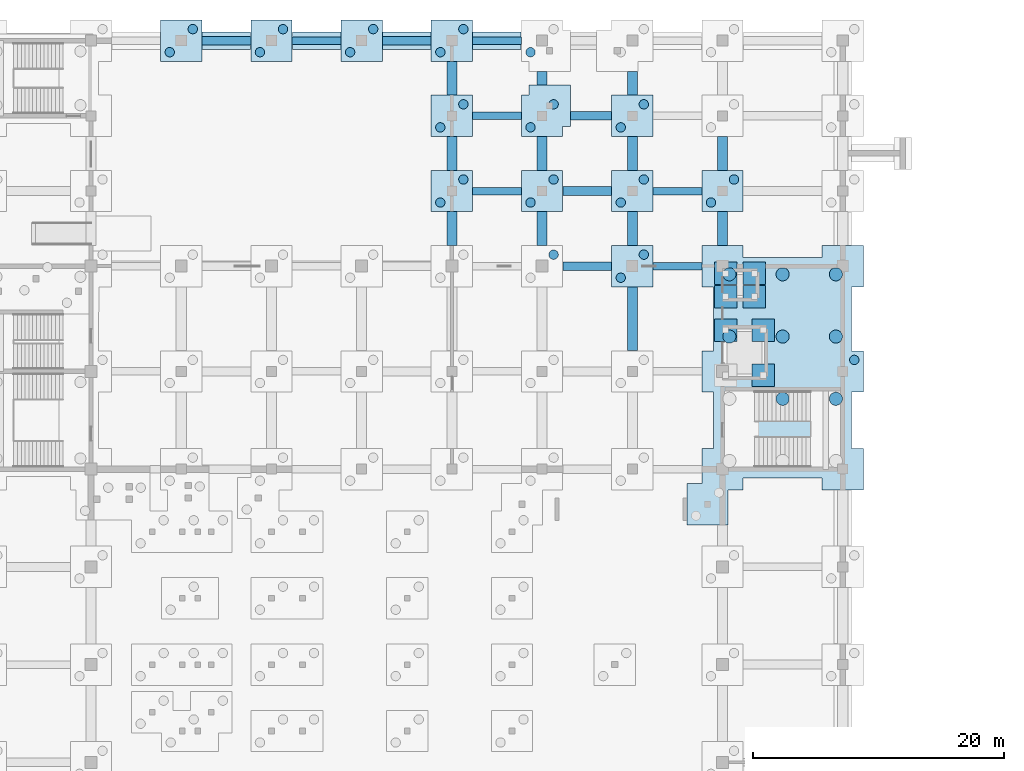
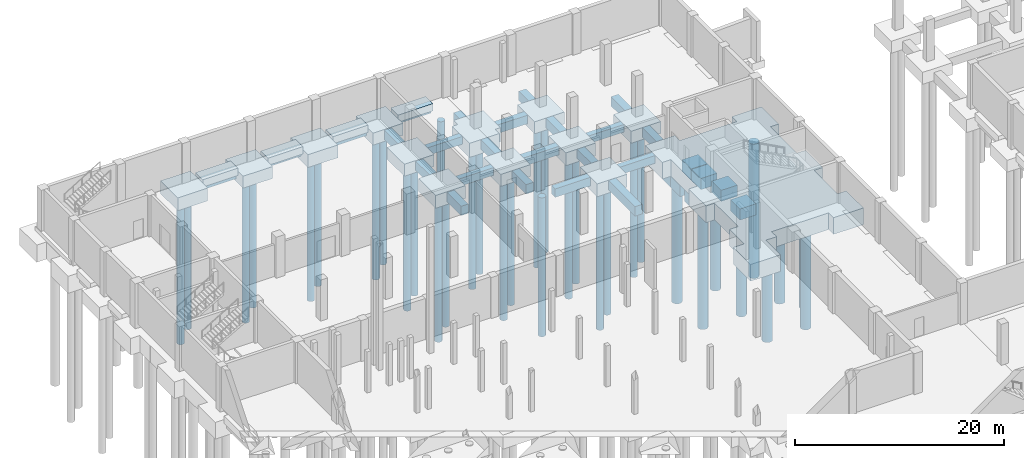
# One storey, part 10 of 42: 47 footings, 35 piles.
"""IFC4 building model written with IfcOpenShell, lengths in metres."""

from ifc_helpers import new_model, si_unit, direction, frame, origin, origin_2d, place, context, subcontext, project, spatial, polyline, rectangle, circle, outline, extrude, material, layer, layer_set, material_profile, profile_set, type_object, element, save


model = new_model("IFC4")

# Units and contexts
model_context = context("Model", 3, precision=1e-05, world=origin(), true_north=direction((0.0, 1.0)))
body_context = subcontext(model_context, "Body", "Model", "MODEL_VIEW")
ifc_project = project(units=[si_unit("LENGTHUNIT", "METRE"), si_unit("AREAUNIT", "SQUARE_METRE"), si_unit("VOLUMEUNIT", "CUBIC_METRE"), si_unit("PLANEANGLEUNIT", "RADIAN"), si_unit("MASSUNIT", "GRAM", prefix="KILO")], contexts=[model_context])

# Site, building, storey
site_placement = place(None, origin())
site = spatial("IfcSite", under=ifc_project, at=site_placement, CompositionType="ELEMENT")
building_placement = place(site_placement, origin())
building = spatial("IfcBuilding", under=site, at=building_placement, Name="Pellamere Symphony Hall", CompositionType="ELEMENT")
storey_placement = place(building_placement, frame((0.0, 0.0, -4.800048828125)))
storey = spatial("IfcBuildingStorey", under=building, at=storey_placement, Name="B1", CompositionType="ELEMENT", Elevation=-4.800048828125)

# Piles
ifc_material_1 = material(Name="Concrete 40 MPa", Category="concrete")
ifc_material_profile_1 = material_profile(ifc_material_1, circle(Radius=0.52490234375, at=origin_2d()), Name="PILE D1050")
ifc_profile_set_1 = profile_set([ifc_material_profile_1], Name="Concrete 40 MPa")
pile_type_1 = type_object("IfcPileType", Name="Bored Pile 1050mm Concrete 40 MPa", PredefinedType="BORED", material=ifc_profile_set_1)
for number, where, z_axis, x_axis, name in (
    (1, (109.75, 87.98291015625, -2.300048828125), (0.0, 0.0, -1.0), (1.0, 0.0, 0.0), "Bored Pile BP-1050-P457"),
    (2, (109.75, 92.949951171875, -2.300048828125), (0.0, 0.0, -1.0), (1.0, 0.0, 0.0), "Bored Pile BP-1050-P458"),
    (3, (114.0, 83.01708984375, -2.300048828125), (0.0, 0.0, -1.0), (1.0, 0.0, 0.0), "Bored Pile BP-1050-P460"),
    (4, (114.0, 87.98291015625, -2.300048828125), (0.0, 0.0, -1.0), (1.0, 0.0, 0.0), "Bored Pile BP-1050-P461"),
    (5, (114.0, 92.949951171875, -2.300048828125), (0.0, 0.0, -1.0), (1.0, 0.0, 0.0), "Bored Pile BP-1050-P462"),
    (6, (118.25, 83.01708984375, -2.300048828125), (0.0, 0.0, -1.0), (1.0, 0.0, 0.0), "Bored Pile BP-1050-P464"),
    (7, (118.25, 87.98291015625, -2.300048828125), (0.0, 0.0, -1.0), (1.0, 0.0, 0.0), "Bored Pile BP-1050-P465"),
    (8, (118.25, 92.949951171875, -2.300048828125), (0.0, 0.0, -1.0), (1.0, 0.0, 0.0), "Bored Pile BP-1050-P466"),
):
    element("IfcPile", number, at=place(storey_placement, frame(where, z_axis=z_axis, x_axis=x_axis)), inside=storey, type_object=pile_type_1, Name=name, PredefinedType="BORED", context=body_context, shape_type="SweptSolid", body=[
        extrude(circle(Radius=0.52490234375, at=origin_2d()), origin(), (0.0, 0.0, 1.0), 15.699951171875),
    ])
ifc_material_2 = material(Name="Concrete 35 MPa", Category="concrete")
ifc_material_profile_2 = material_profile(ifc_material_2, circle(Radius=0.375, at=origin_2d()), Name="PILE D750")
ifc_profile_set_2 = profile_set([ifc_material_profile_2], Name="Concrete 35 MPa")
pile_type_2 = type_object("IfcPileType", Name="Bored Pile 750mm Concrete 35 MPa", PredefinedType="BORED", material=ifc_profile_set_2)
pile_1_placement = place(storey_placement, frame((119.719970703125, 86.1201171875, -2.300048828125), z_axis=(0.0, 0.0, -1.0), x_axis=(1.0, 0.0, 0.0)))
element("IfcPile", 9, at=pile_1_placement, inside=storey, type_object=pile_type_2, Name="Bored Pile BP-750-P467", PredefinedType="BORED", context=body_context, shape_type="SweptSolid", body=[
    extrude(circle(Radius=0.375, at=origin_2d()), origin(), (0.0, 0.0, 1.0), 15.699951171875),
])
pile_2_placement = place(storey_placement, frame((95.719970703125, 94.52001953125, -1.75), z_axis=(0.0, 0.0, -1.0), x_axis=(1.0, 0.0, 0.0)))
element("IfcPile", 10, at=pile_2_placement, inside=storey, type_object=pile_type_2, Name="Bored Pile BP-750-P509", PredefinedType="BORED", context=body_context, shape_type="SweptSolid", body=[
    extrude(circle(Radius=0.375, at=origin_2d()), origin(), (0.0, 0.0, 1.0), 16.25),
])
for number, where, z_axis, x_axis, name in (
    (11, (101.080078125, 92.679931640625, -1.849853515625), (0.0, 0.0, -1.0), (1.0, 0.0, 0.0), "Bored Pile BP-750-P510"),
    (12, (102.919921875, 94.52001953125, -1.849853515625), (0.0, 0.0, -1.0), (1.0, 0.0, 0.0), "Bored Pile BP-750-P511"),
):
    element("IfcPile", number, at=place(storey_placement, frame(where, z_axis=z_axis, x_axis=x_axis)), inside=storey, type_object=pile_type_2, Name=name, PredefinedType="BORED", context=body_context, shape_type="SweptSolid", body=[
        extrude(circle(Radius=0.375, at=origin_2d()), origin(), (0.0, 0.0, 1.0), 16.14990234375),
    ])
for number, where, z_axis, x_axis, name in (
    (13, (86.679931640625, 98.679931640625, -1.780029296875), (0.0, 0.0, -1.0), (1.0, 0.0, 0.0), "Bored Pile BP-750-P526"),
    (14, (88.52001953125, 100.52001953125, -1.780029296875), (0.0, 0.0, -1.0), (1.0, 0.0, 0.0), "Bored Pile BP-750-P527"),
):
    element("IfcPile", number, at=place(storey_placement, frame(where, z_axis=z_axis, x_axis=x_axis)), inside=storey, type_object=pile_type_2, Name=name, PredefinedType="BORED", context=body_context, shape_type="SweptSolid", body=[
        extrude(circle(Radius=0.375, at=origin_2d()), origin(), (0.0, 0.0, 1.0), 16.219970703125),
    ])
for number, where, z_axis, x_axis, name in (
    (15, (93.8798828125, 98.679931640625, -1.75), (0.0, 0.0, -1.0), (1.0, 0.0, 0.0), "Bored Pile BP-750-P528"),
    (16, (95.719970703125, 100.52001953125, -1.75), (0.0, 0.0, -1.0), (1.0, 0.0, 0.0), "Bored Pile BP-750-P529"),
):
    element("IfcPile", number, at=place(storey_placement, frame(where, z_axis=z_axis, x_axis=x_axis)), inside=storey, type_object=pile_type_2, Name=name, PredefinedType="BORED", context=body_context, shape_type="SweptSolid", body=[
        extrude(circle(Radius=0.375, at=origin_2d()), origin(), (0.0, 0.0, 1.0), 16.25),
    ])
for number, where, z_axis, x_axis, name in (
    (17, (101.080078125, 98.679931640625, -1.849853515625), (0.0, 0.0, -1.0), (1.0, 0.0, 0.0), "Bored Pile BP-750-P530"),
    (18, (102.919921875, 100.52001953125, -1.849853515625), (0.0, 0.0, -1.0), (1.0, 0.0, 0.0), "Bored Pile BP-750-P531"),
):
    element("IfcPile", number, at=place(storey_placement, frame(where, z_axis=z_axis, x_axis=x_axis)), inside=storey, type_object=pile_type_2, Name=name, PredefinedType="BORED", context=body_context, shape_type="SweptSolid", body=[
        extrude(circle(Radius=0.375, at=origin_2d()), origin(), (0.0, 0.0, 1.0), 16.14990234375),
    ])
for number, where, z_axis, x_axis, name in (
    (19, (108.280029296875, 98.679931640625, -1.75), (0.0, 0.0, -1.0), (1.0, 0.0, 0.0), "Bored Pile BP-750-P532"),
    (20, (110.1201171875, 100.52001953125, -1.75), (0.0, 0.0, -1.0), (1.0, 0.0, 0.0), "Bored Pile BP-750-P533"),
):
    element("IfcPile", number, at=place(storey_placement, frame(where, z_axis=z_axis, x_axis=x_axis)), inside=storey, type_object=pile_type_2, Name=name, PredefinedType="BORED", context=body_context, shape_type="SweptSolid", body=[
        extrude(circle(Radius=0.375, at=origin_2d()), origin(), (0.0, 0.0, 1.0), 16.25),
    ])
for number, where, z_axis, x_axis, name in (
    (21, (86.679931640625, 104.679931640625, -1.679931640625), (0.0, 0.0, -1.0), (1.0, 0.0, 0.0), "Bored Pile BP-750-P552"),
    (22, (88.52001953125, 106.52001953125, -1.679931640625), (0.0, 0.0, -1.0), (1.0, 0.0, 0.0), "Bored Pile BP-750-P553"),
):
    element("IfcPile", number, at=place(storey_placement, frame(where, z_axis=z_axis, x_axis=x_axis)), inside=storey, type_object=pile_type_2, Name=name, PredefinedType="BORED", context=body_context, shape_type="SweptSolid", body=[
        extrude(circle(Radius=0.375, at=origin_2d()), origin(), (0.0, 0.0, 1.0), 16.320068359375),
    ])
for number, where, z_axis, x_axis, name in (
    (23, (93.8798828125, 104.679931640625, -2.0), (0.0, 0.0, -1.0), (1.0, 0.0, 0.0), "Bored Pile BP-750-P554"),
    (24, (95.719970703125, 106.52001953125, -2.0), (0.0, 0.0, -1.0), (1.0, 0.0, 0.0), "Bored Pile BP-750-P555"),
):
    element("IfcPile", number, at=place(storey_placement, frame(where, z_axis=z_axis, x_axis=x_axis)), inside=storey, type_object=pile_type_2, Name=name, PredefinedType="BORED", context=body_context, shape_type="SweptSolid", body=[
        extrude(circle(Radius=0.375, at=origin_2d()), origin(), (0.0, 0.0, 1.0), 16.0),
    ])
for number, where, z_axis, x_axis, name in (
    (25, (101.080078125, 104.679931640625, -1.75), (0.0, 0.0, -1.0), (1.0, 0.0, 0.0), "Bored Pile BP-750-P556"),
    (26, (102.919921875, 106.52001953125, -1.75), (0.0, 0.0, -1.0), (1.0, 0.0, 0.0), "Bored Pile BP-750-P557"),
):
    element("IfcPile", number, at=place(storey_placement, frame(where, z_axis=z_axis, x_axis=x_axis)), inside=storey, type_object=pile_type_2, Name=name, PredefinedType="BORED", context=body_context, shape_type="SweptSolid", body=[
        extrude(circle(Radius=0.375, at=origin_2d()), origin(), (0.0, 0.0, 1.0), 16.25),
    ])
pile_3_placement = place(storey_placement, frame((93.8798828125, 110.679931640625, -2.0), z_axis=(0.0, 0.0, -1.0), x_axis=(1.0, 0.0, 0.0)))
element("IfcPile", 27, at=pile_3_placement, inside=storey, type_object=pile_type_2, Name="Bored Pile BP-750-P562", PredefinedType="BORED", context=body_context, shape_type="SweptSolid", body=[
    extrude(circle(Radius=0.375, at=origin_2d()), origin(), (0.0, 0.0, 1.0), 16.0),
])
for number, where, z_axis, x_axis, name in (
    (28, (65.080078125, 110.679931640625, -1.780029296875), (0.0, 0.0, -1.0), (1.0, 0.0, 0.0), "Bored Pile BP-750-P566"),
    (29, (66.919921875, 112.52001953125, -1.780029296875), (0.0, 0.0, -1.0), (1.0, 0.0, 0.0), "Bored Pile BP-750-P567"),
):
    element("IfcPile", number, at=place(storey_placement, frame(where, z_axis=z_axis, x_axis=x_axis)), inside=storey, type_object=pile_type_2, Name=name, PredefinedType="BORED", context=body_context, shape_type="SweptSolid", body=[
        extrude(circle(Radius=0.375, at=origin_2d()), origin(), (0.0, 0.0, 1.0), 16.219970703125),
    ])
for number, where, z_axis, x_axis, name in (
    (30, (72.280029296875, 110.679931640625, -1.679931640625), (0.0, 0.0, -1.0), (1.0, 0.0, 0.0), "Bored Pile BP-750-P568"),
    (31, (74.1201171875, 112.52001953125, -1.679931640625), (0.0, 0.0, -1.0), (1.0, 0.0, 0.0), "Bored Pile BP-750-P569"),
):
    element("IfcPile", number, at=place(storey_placement, frame(where, z_axis=z_axis, x_axis=x_axis)), inside=storey, type_object=pile_type_2, Name=name, PredefinedType="BORED", context=body_context, shape_type="SweptSolid", body=[
        extrude(circle(Radius=0.375, at=origin_2d()), origin(), (0.0, 0.0, 1.0), 16.320068359375),
    ])
for number, where, z_axis, x_axis, name in (
    (32, (79.47998046875, 110.679931640625, -1.780029296875), (0.0, 0.0, -1.0), (1.0, 0.0, 0.0), "Bored Pile BP-750-P570"),
    (33, (81.320068359375, 112.52001953125, -1.780029296875), (0.0, 0.0, -1.0), (1.0, 0.0, 0.0), "Bored Pile BP-750-P571"),
):
    element("IfcPile", number, at=place(storey_placement, frame(where, z_axis=z_axis, x_axis=x_axis)), inside=storey, type_object=pile_type_2, Name=name, PredefinedType="BORED", context=body_context, shape_type="SweptSolid", body=[
        extrude(circle(Radius=0.375, at=origin_2d()), origin(), (0.0, 0.0, 1.0), 16.219970703125),
    ])
for number, where, z_axis, x_axis, name in (
    (34, (86.679931640625, 110.679931640625, -1.679931640625), (0.0, 0.0, -1.0), (1.0, 0.0, 0.0), "Bored Pile BP-750-P572"),
    (35, (88.52001953125, 112.52001953125, -1.679931640625), (0.0, 0.0, -1.0), (1.0, 0.0, 0.0), "Bored Pile BP-750-P573"),
):
    element("IfcPile", number, at=place(storey_placement, frame(where, z_axis=z_axis, x_axis=x_axis)), inside=storey, type_object=pile_type_2, Name=name, PredefinedType="BORED", context=body_context, shape_type="SweptSolid", body=[
        extrude(circle(Radius=0.375, at=origin_2d()), origin(), (0.0, 0.0, 1.0), 16.320068359375),
    ])

# Footings
ifc_layer_1 = layer(ifc_material_1, 1.300048828125, Name="Concrete 40 MPa")
ifc_layer_set_1 = layer_set([ifc_layer_1], Name="Concrete 40 MPa")
footing_type_1 = type_object("IfcFootingType", Name="Concrete Pad Footing PF-01 1800x1800x1300", PredefinedType="PAD_FOOTING", material=ifc_layer_set_1)
footing_1_placement = place(storey_placement, frame((0.0, 0.0, -3.780029296875)))
element("IfcFooting", 36, at=footing_1_placement, inside=storey, type_object=footing_type_1, Name="Elevator Sub-Pit Pad Footing PF-01-222", PredefinedType="PAD_FOOTING", context=body_context, shape_type="SweptSolid", body=[
    extrude(outline(polyline([(111.550048828125, 84.0), (111.550048828125, 85.800048828125), (113.35009765625, 85.800048828125), (113.35009765625, 84.0), (111.550048828125, 84.0)])), origin(), (0.0, 0.0, 1.0), 1.300048828125),
])
footing_2_placement = place(storey_placement, frame((0.0, 0.0, -3.780029296875)))
element("IfcFooting", 37, at=footing_2_placement, inside=storey, type_object=footing_type_1, Name="Elevator Sub-Pit Pad Footing PF-01-224", PredefinedType="PAD_FOOTING", context=body_context, shape_type="SweptSolid", body=[
    extrude(outline(polyline([(111.550048828125, 87.60009765625), (111.550048828125, 89.39990234375), (113.35009765625, 89.39990234375), (113.35009765625, 87.60009765625), (111.550048828125, 87.60009765625)])), origin(), (0.0, 0.0, 1.0), 1.300048828125),
])
footing_3_placement = place(storey_placement, frame((0.0, 0.0, -3.780029296875)))
element("IfcFooting", 38, at=footing_3_placement, inside=storey, type_object=footing_type_1, Name="Elevator Sub-Pit Pad Footing PF-01-225", PredefinedType="PAD_FOOTING", context=body_context, shape_type="SweptSolid", body=[
    extrude(outline(polyline([(108.550048828125, 90.27490234375), (108.550048828125, 92.074951171875), (110.35009765625, 92.074951171875), (110.35009765625, 90.27490234375), (108.550048828125, 90.27490234375)])), origin(), (0.0, 0.0, 1.0), 1.300048828125),
])
footing_4_placement = place(storey_placement, frame((0.0, 0.0, -3.780029296875)))
element("IfcFooting", 39, at=footing_4_placement, inside=storey, type_object=footing_type_1, Name="Elevator Sub-Pit Pad Footing PF-01-226", PredefinedType="PAD_FOOTING", context=body_context, shape_type="SweptSolid", body=[
    extrude(outline(polyline([(110.85009765625, 90.27490234375), (110.85009765625, 92.074951171875), (112.64990234375, 92.074951171875), (112.64990234375, 90.27490234375), (110.85009765625, 90.27490234375)])), origin(), (0.0, 0.0, 1.0), 1.300048828125),
])
footing_5_placement = place(storey_placement, frame((0.0, 0.0, -3.780029296875)))
element("IfcFooting", 40, at=footing_5_placement, inside=storey, type_object=footing_type_1, Name="Elevator Sub-Pit Pad Footing PF-01-228", PredefinedType="PAD_FOOTING", context=body_context, shape_type="SweptSolid", body=[
    extrude(outline(polyline([(110.85009765625, 92.125), (110.85009765625, 93.925048828125), (112.64990234375, 93.925048828125), (112.64990234375, 92.125), (110.85009765625, 92.125)])), origin(), (0.0, 0.0, 1.0), 1.300048828125),
])
ifc_material_profile_3 = material_profile(ifc_material_1, rectangle(XDim=0.60009765625, YDim=0.89990234375, at=origin_2d()), Name="RC 600x900")
ifc_profile_set_3 = profile_set([ifc_material_profile_3], Name="Concrete 40 MPa")
footing_type_2 = type_object("IfcFootingType", Name="Foundation FB-01 600x900", PredefinedType="FOOTING_BEAM", material=ifc_profile_set_3)
for number, where, z_axis, x_axis, name in (
    (41, (103.652099609375, 93.60009765625, -0.89990234375), (1.0, 0.0, 0.0), (0.0, 1.0, 0.0), "Foundation Beam FB-01-204"),
    (42, (89.251953125, 99.60009765625, -0.89990234375), (1.0, 0.0, 0.0), (0.0, 1.0, 0.0), "Foundation Beam FB-01-210"),
    (43, (103.652099609375, 99.60009765625, -0.89990234375), (1.0, 0.0, 0.0), (0.0, 1.0, 0.0), "Foundation Beam FB-01-212"),
    (44, (89.251953125, 105.60009765625, -0.89990234375), (1.0, 0.0, 0.0), (0.0, 1.0, 0.0), "Foundation Beam FB-01-218"),
    (45, (74.85205078125, 111.60009765625, -0.89990234375), (1.0, 0.0, 0.0), (0.0, 1.0, 0.0), "Foundation Beam FB-01-224"),
    (46, (89.251953125, 111.60009765625, -0.89990234375), (1.0, 0.0, 0.0), (0.0, 1.0, 0.0), "Foundation Beam FB-01-226"),
):
    element("IfcFooting", number, at=place(storey_placement, frame(where, z_axis=z_axis, x_axis=x_axis)), inside=storey, type_object=footing_type_2, Name=name, PredefinedType="FOOTING_BEAM", context=body_context, shape_type="SweptSolid", body=[
        extrude(rectangle(XDim=0.60009765625, YDim=0.89990234375, at=origin_2d()), origin(), (0.0, 0.0, 1.0), 3.89599609375),
    ])
ifc_material_profile_4 = material_profile(ifc_material_1, rectangle(XDim=0.699951171875, YDim=1.0, at=origin_2d()), Name="RC 700x1000")
ifc_profile_set_4 = profile_set([ifc_material_profile_4], Name="Concrete 40 MPa")
footing_type_3 = type_object("IfcFootingType", Name="Foundation FB-02 700x1000", PredefinedType="FOOTING_BEAM", material=ifc_profile_set_4)
for number, where, z_axis, x_axis, name in (
    (47, (96.451904296875, 93.60009765625, -0.949951171875), (1.0, 0.0, 0.0), (0.0, 1.0, 0.0), "Foundation Beam FB-02-203"),
    (48, (96.451904296875, 99.60009765625, -0.949951171875), (1.0, 0.0, 0.0), (0.0, 1.0, 0.0), "Foundation Beam FB-02-211"),
):
    element("IfcFooting", number, at=place(storey_placement, frame(where, z_axis=z_axis, x_axis=x_axis)), inside=storey, type_object=footing_type_3, Name=name, PredefinedType="FOOTING_BEAM", context=body_context, shape_type="SweptSolid", body=[
        extrude(rectangle(XDim=0.699951171875, YDim=1.0, at=origin_2d()), origin(), (0.0, 0.0, 1.0), 3.89599609375),
    ])
footing_6_placement = place(storey_placement, frame((97.052001953125, 105.60009765625, -0.949951171875), z_axis=(1.0, 0.0, 0.0), x_axis=(0.0, 1.0, 0.0)))
element("IfcFooting", 49, at=footing_6_placement, inside=storey, type_object=footing_type_3, Name="Foundation Beam FB-02-219", PredefinedType="FOOTING_BEAM", context=body_context, shape_type="SweptSolid", body=[
    extrude(rectangle(XDim=0.699951171875, YDim=1.0, at=origin_2d()), origin(), (0.0, 0.0, 1.0), 3.2958984375),
])
for number, where, z_axis, x_axis, name in (
    (50, (67.652099609375, 111.60009765625, -0.949951171875), (1.0, 0.0, 0.0), (0.0, 1.0, 0.0), "Foundation Beam FB-02-223"),
    (51, (82.052001953125, 111.60009765625, -0.949951171875), (1.0, 0.0, 0.0), (0.0, 1.0, 0.0), "Foundation Beam FB-02-225"),
):
    element("IfcFooting", number, at=place(storey_placement, frame(where, z_axis=z_axis, x_axis=x_axis)), inside=storey, type_object=footing_type_3, Name=name, PredefinedType="FOOTING_BEAM", context=body_context, shape_type="SweptSolid", body=[
        extrude(rectangle(XDim=0.699951171875, YDim=1.0, at=origin_2d()), origin(), (0.0, 0.0, 1.0), 3.89599609375),
    ])
ifc_material_profile_5 = material_profile(ifc_material_1, rectangle(XDim=0.800048828125, YDim=1.10009765625, at=origin_2d()), Name="RC 800x1100")
ifc_profile_set_5 = profile_set([ifc_material_profile_5], Name="Concrete 40 MPa")
footing_type_4 = type_object("IfcFootingType", Name="Foundation FB-03 800x1100", PredefinedType="FOOTING_BEAM", material=ifc_profile_set_5)
for number, where, z_axis, x_axis, name in (
    (52, (87.60009765625, 95.251953125, -1.0), (0.0, 1.0, 0.0), (-1.0, 0.0, 0.0), "Foundation Beam FB-03-306"),
    (53, (87.60009765625, 101.251953125, -1.0), (0.0, 1.0, 0.0), (-1.0, 0.0, 0.0), "Foundation Beam FB-03-307"),
    (54, (87.60009765625, 107.251953125, -1.0), (0.0, 1.0, 0.0), (-1.0, 0.0, 0.0), "Foundation Beam FB-03-308"),
    (55, (94.800048828125, 95.251953125, -1.0), (0.0, 1.0, 0.0), (-1.0, 0.0, 0.0), "Foundation Beam FB-03-315"),
    (56, (94.800048828125, 101.251953125, -1.0), (0.0, 1.0, 0.0), (-1.0, 0.0, 0.0), "Foundation Beam FB-03-316"),
):
    element("IfcFooting", number, at=place(storey_placement, frame(where, z_axis=z_axis, x_axis=x_axis)), inside=storey, type_object=footing_type_4, Name=name, PredefinedType="FOOTING_BEAM", context=body_context, shape_type="SweptSolid", body=[
        extrude(rectangle(XDim=0.800048828125, YDim=1.10009765625, at=origin_2d()), origin(), (0.0, 0.0, 1.0), 2.696044921875),
    ])
footing_7_placement = place(storey_placement, frame((94.800048828125, 108.052001953125, -1.0), z_axis=(0.0, 1.0, 0.0), x_axis=(-1.0, 0.0, 0.0)))
element("IfcFooting", 57, at=footing_7_placement, inside=storey, type_object=footing_type_4, Name="Foundation Beam FB-03-317", PredefinedType="FOOTING_BEAM", context=body_context, shape_type="SweptSolid", body=[
    extrude(rectangle(XDim=0.800048828125, YDim=1.10009765625, at=origin_2d()), origin(), (0.0, 0.0, 1.0), 1.095947265625),
])
footing_8_placement = place(storey_placement, frame((102.0, 86.85205078125, -1.0), z_axis=(0.0, 1.0, 0.0), x_axis=(-1.0, 0.0, 0.0)))
element("IfcFooting", 58, at=footing_8_placement, inside=storey, type_object=footing_type_4, Name="Foundation Beam FB-03-323", PredefinedType="FOOTING_BEAM", context=body_context, shape_type="SweptSolid", body=[
    extrude(rectangle(XDim=0.800048828125, YDim=1.10009765625, at=origin_2d()), origin(), (0.0, 0.0, 1.0), 5.095947265625),
])
for number, where, z_axis, x_axis, name in (
    (59, (102.0, 95.251953125, -1.0), (0.0, 1.0, 0.0), (-1.0, 0.0, 0.0), "Foundation Beam FB-03-324"),
    (60, (102.0, 101.251953125, -1.0), (0.0, 1.0, 0.0), (-1.0, 0.0, 0.0), "Foundation Beam FB-03-325"),
):
    element("IfcFooting", number, at=place(storey_placement, frame(where, z_axis=z_axis, x_axis=x_axis)), inside=storey, type_object=footing_type_4, Name=name, PredefinedType="FOOTING_BEAM", context=body_context, shape_type="SweptSolid", body=[
        extrude(rectangle(XDim=0.800048828125, YDim=1.10009765625, at=origin_2d()), origin(), (0.0, 0.0, 1.0), 2.696044921875),
    ])
footing_9_placement = place(storey_placement, frame((102.0, 107.251953125, -1.0), z_axis=(0.0, 1.0, 0.0), x_axis=(-1.0, 0.0, 0.0)))
element("IfcFooting", 61, at=footing_9_placement, inside=storey, type_object=footing_type_4, Name="Foundation Beam FB-03-326", PredefinedType="FOOTING_BEAM", context=body_context, shape_type="SweptSolid", body=[
    extrude(rectangle(XDim=0.800048828125, YDim=1.10009765625, at=origin_2d()), origin(), (0.0, 0.0, 1.0), 1.89599609375),
])
for number, where, z_axis, x_axis, name in (
    (62, (109.199951171875, 95.251953125, -1.0), (0.0, 1.0, 0.0), (-1.0, 0.0, 0.0), "Foundation Beam FB-03-334"),
    (63, (109.199951171875, 101.251953125, -1.0), (0.0, 1.0, 0.0), (-1.0, 0.0, 0.0), "Foundation Beam FB-03-335"),
):
    element("IfcFooting", number, at=place(storey_placement, frame(where, z_axis=z_axis, x_axis=x_axis)), inside=storey, type_object=footing_type_4, Name=name, PredefinedType="FOOTING_BEAM", context=body_context, shape_type="SweptSolid", body=[
        extrude(rectangle(XDim=0.800048828125, YDim=1.10009765625, at=origin_2d()), origin(), (0.0, 0.0, 1.0), 2.696044921875),
    ])
ifc_material_profile_6 = material_profile(ifc_material_1, rectangle(XDim=1.39990234375, YDim=0.85009765625, at=origin_2d()), Name="RC 1400x850")
ifc_profile_set_6 = profile_set([ifc_material_profile_6], Name="Concrete 40 MPa")
footing_type_5 = type_object("IfcFootingType", Name="Foundation SF-02 1400x850", PredefinedType="STRIP_FOOTING", material=ifc_profile_set_6)
footing_10_placement = place(storey_placement, frame((67.6650390625, 111.60009765625, -0.425048828125), z_axis=(1.0, 0.0, 0.0), x_axis=(0.0, 1.0, 0.0)))
element("IfcFooting", 64, at=footing_10_placement, inside=storey, type_object=footing_type_5, Name="Foundation Beam SF-02-011", PredefinedType="STRIP_FOOTING", context=body_context, shape_type="SweptSolid", body=[
    extrude(rectangle(XDim=1.39990234375, YDim=0.85009765625, at=origin_2d()), origin(), (0.0, 0.0, 1.0), 3.869873046875),
])
for number, where, z_axis, x_axis, name in (
    (65, (74.864990234375, 111.60009765625, -0.425048828125), (1.0, 0.0, 0.0), (0.0, 1.0, 0.0), "Foundation Beam SF-02-012"),
    (66, (82.06494140625, 111.60009765625, -0.425048828125), (1.0, 0.0, 0.0), (0.0, 1.0, 0.0), "Foundation Beam SF-02-013"),
    (67, (89.264892578125, 111.60009765625, -0.425048828125), (1.0, 0.0, 0.0), (0.0, 1.0, 0.0), "Foundation Beam SF-02-014"),
):
    element("IfcFooting", number, at=place(storey_placement, frame(where, z_axis=z_axis, x_axis=x_axis)), inside=storey, type_object=footing_type_5, Name=name, PredefinedType="STRIP_FOOTING", context=body_context, shape_type="SweptSolid", body=[
        extrude(rectangle(XDim=1.39990234375, YDim=0.85009765625, at=origin_2d()), origin(), (0.0, 0.0, 1.0), 3.8701171875),
    ])
ifc_layer_2 = layer(ifc_material_1, 1.300048828125, Name="Concrete 40 MPa")
ifc_layer_set_2 = layer_set([ifc_layer_2], Name="Concrete 40 MPa")
footing_type_6 = type_object("IfcFootingType", Name="Pile Cap PC-01 1800x1800x1300", PredefinedType="PILE_CAP", material=ifc_layer_set_2)
footing_11_placement = place(storey_placement, frame((0.0, 0.0, -3.780029296875)))
element("IfcFooting", 68, at=footing_11_placement, inside=storey, type_object=footing_type_6, Name="Elevator Sub-Pit Pile Cap PC-01-223", PredefinedType="PILE_CAP", context=body_context, shape_type="SweptSolid", body=[
    extrude(outline(polyline([(108.550048828125, 87.60009765625), (108.550048828125, 89.39990234375), (110.35009765625, 89.39990234375), (110.35009765625, 87.60009765625), (108.550048828125, 87.60009765625)])), origin(), (0.0, 0.0, 1.0), 1.300048828125),
])
footing_12_placement = place(storey_placement, frame((0.0, 0.0, -3.780029296875)))
element("IfcFooting", 69, at=footing_12_placement, inside=storey, type_object=footing_type_6, Name="Elevator Sub-Pit Pile Cap PC-01-227", PredefinedType="PILE_CAP", context=body_context, shape_type="SweptSolid", body=[
    extrude(outline(polyline([(108.550048828125, 92.125), (108.550048828125, 93.925048828125), (110.35009765625, 93.925048828125), (110.35009765625, 92.125), (108.550048828125, 92.125)])), origin(), (0.0, 0.0, 1.0), 1.300048828125),
])
ifc_layer_3 = layer(ifc_material_1, 1.39990234375, Name="Concrete 40 MPa")
ifc_layer_set_3 = layer_set([ifc_layer_3], Name="Concrete 40 MPa")
footing_type_7 = type_object("IfcFootingType", Name="Pile Cap PC-02 3300x3300x1400", PredefinedType="PILE_CAP", material=ifc_layer_set_3)
footing_13_placement = place(storey_placement, frame((0.0, 0.0, -1.849853515625)))
element("IfcFooting", 70, at=footing_13_placement, inside=storey, type_object=footing_type_7, Name="Pile Cap PC-02-192", PredefinedType="PILE_CAP", context=body_context, shape_type="SweptSolid", body=[
    extrude(outline(polyline([(96.449951171875, 97.949951171875), (93.14990234375, 97.949951171875), (93.14990234375, 101.25), (96.449951171875, 101.25), (96.449951171875, 97.949951171875)])), origin(), (0.0, 0.0, 1.0), 1.39990234375),
])
footing_14_placement = place(storey_placement, frame((0.0, 0.0, -1.849853515625)))
element("IfcFooting", 71, at=footing_14_placement, inside=storey, type_object=footing_type_7, Name="Pile Cap PC-02-194", PredefinedType="PILE_CAP", context=body_context, shape_type="SweptSolid", body=[
    extrude(outline(polyline([(110.85009765625, 97.949951171875), (107.550048828125, 97.949951171875), (107.550048828125, 101.25), (110.85009765625, 101.25), (110.85009765625, 97.949951171875)])), origin(), (0.0, 0.0, 1.0), 1.39990234375),
])
footing_15_placement = place(storey_placement, frame((0.0, 0.0, -1.780029296875)))
element("IfcFooting", 72, at=footing_15_placement, inside=storey, type_object=footing_type_7, Name="Pile Cap PC-02-202", PredefinedType="PILE_CAP", context=body_context, shape_type="SweptSolid", body=[
    extrude(outline(polyline([(89.25, 103.949951171875), (85.949951171875, 103.949951171875), (85.949951171875, 107.25), (89.25, 107.25), (89.25, 103.949951171875)])), origin(), (0.0, 0.0, 1.0), 1.400146484375),
])
footing_16_placement = place(storey_placement, frame((0.0, 0.0, -1.849853515625)))
element("IfcFooting", 73, at=footing_16_placement, inside=storey, type_object=footing_type_7, Name="Pile Cap PC-02-204", PredefinedType="PILE_CAP", context=body_context, shape_type="SweptSolid", body=[
    extrude(outline(polyline([(100.35009765625, 103.949951171875), (100.35009765625, 107.25), (103.64990234375, 107.25), (103.64990234375, 103.949951171875), (100.35009765625, 103.949951171875)])), origin(), (0.0, 0.0, 1.0), 1.39990234375),
])
footing_17_placement = place(storey_placement, frame((0.0, 0.0, -1.780029296875)))
element("IfcFooting", 74, at=footing_17_placement, inside=storey, type_object=footing_type_7, Name="Pile Cap PC-02-210", PredefinedType="PILE_CAP", context=body_context, shape_type="SweptSolid", body=[
    extrude(outline(polyline([(71.550048828125, 109.949951171875), (71.550048828125, 113.25), (74.85009765625, 113.25), (74.85009765625, 109.949951171875), (71.550048828125, 109.949951171875)])), origin(), (0.0, 0.0, 1.0), 1.400146484375),
])
footing_18_placement = place(storey_placement, frame((0.0, 0.0, -1.780029296875)))
element("IfcFooting", 75, at=footing_18_placement, inside=storey, type_object=footing_type_7, Name="Pile Cap PC-02-212", PredefinedType="PILE_CAP", context=body_context, shape_type="SweptSolid", body=[
    extrude(outline(polyline([(85.949951171875, 109.949951171875), (85.949951171875, 113.25), (89.25, 113.25), (89.25, 109.949951171875), (85.949951171875, 109.949951171875)])), origin(), (0.0, 0.0, 1.0), 1.400146484375),
])
ifc_layer_4 = layer(ifc_material_1, 1.5, Name="Concrete 40 MPa")
ifc_layer_set_4 = layer_set([ifc_layer_4], Name="Concrete 40 MPa")
footing_type_8 = type_object("IfcFootingType", Name="Pile Cap PC-03 3300x3300x1500", PredefinedType="PILE_CAP", material=ifc_layer_set_4)
footing_19_placement = place(storey_placement, frame((0.0, 0.0, -1.949951171875)))
element("IfcFooting", 76, at=footing_19_placement, inside=storey, type_object=footing_type_8, Name="Pile Cap PC-03-183", PredefinedType="PILE_CAP", context=body_context, shape_type="SweptSolid", body=[
    extrude(outline(polyline([(100.35009765625, 91.949951171875), (100.35009765625, 95.25), (103.64990234375, 95.25), (103.64990234375, 91.949951171875), (100.35009765625, 91.949951171875)])), origin(), (0.0, 0.0, 1.0), 1.5),
])
footing_20_placement = place(storey_placement, frame((0.0, 0.0, -1.8798828125)))
element("IfcFooting", 77, at=footing_20_placement, inside=storey, type_object=footing_type_8, Name="Pile Cap PC-03-191", PredefinedType="PILE_CAP", context=body_context, shape_type="SweptSolid", body=[
    extrude(outline(polyline([(89.25, 97.949951171875), (85.949951171875, 97.949951171875), (85.949951171875, 101.25), (89.25, 101.25), (89.25, 97.949951171875)])), origin(), (0.0, 0.0, 1.0), 1.5),
])
footing_21_placement = place(storey_placement, frame((0.0, 0.0, -1.949951171875)))
element("IfcFooting", 78, at=footing_21_placement, inside=storey, type_object=footing_type_8, Name="Pile Cap PC-03-193", PredefinedType="PILE_CAP", context=body_context, shape_type="SweptSolid", body=[
    extrude(outline(polyline([(103.64990234375, 97.949951171875), (100.35009765625, 97.949951171875), (100.35009765625, 101.25), (103.64990234375, 101.25), (103.64990234375, 97.949951171875)])), origin(), (0.0, 0.0, 1.0), 1.5),
])
footing_22_placement = place(storey_placement, frame((0.0, 0.0, -1.8798828125)))
element("IfcFooting", 79, at=footing_22_placement, inside=storey, type_object=footing_type_8, Name="Pile Cap PC-03-209", PredefinedType="PILE_CAP", context=body_context, shape_type="SweptSolid", body=[
    extrude(outline(polyline([(67.64990234375, 109.949951171875), (64.35009765625, 109.949951171875), (64.35009765625, 113.25), (67.64990234375, 113.25), (67.64990234375, 109.949951171875)])), origin(), (0.0, 0.0, 1.0), 1.5),
])
footing_23_placement = place(storey_placement, frame((0.0, 0.0, -1.8798828125)))
element("IfcFooting", 80, at=footing_23_placement, inside=storey, type_object=footing_type_8, Name="Pile Cap PC-03-211", PredefinedType="PILE_CAP", context=body_context, shape_type="SweptSolid", body=[
    extrude(outline(polyline([(82.050048828125, 109.949951171875), (78.75, 109.949951171875), (78.75, 113.25), (82.050048828125, 113.25), (82.050048828125, 109.949951171875)])), origin(), (0.0, 0.0, 1.0), 1.5),
])
ifc_layer_5 = layer(ifc_material_1, 1.64990234375, Name="Concrete 40 MPa")
ifc_layer_set_5 = layer_set([ifc_layer_5], Name="Concrete 40 MPa")
footing_type_9 = type_object("IfcFootingType", Name="Pile Cap PC-05 4400x3300x1650", PredefinedType="PILE_CAP", material=ifc_layer_set_5)
footing_24_placement = place(storey_placement, frame((0.0, 0.0, -2.099853515625)))
element("IfcFooting", 81, at=footing_24_placement, inside=storey, type_object=footing_type_9, Name="Pile Cap PC-05-203", PredefinedType="PILE_CAP", context=body_context, shape_type="SweptSolid", body=[
    extrude(outline(polyline([(96.449951171875, 103.949951171875), (93.14990234375, 103.949951171875), (93.14990234375, 107.25), (93.75, 107.25), (93.75, 108.050048828125), (97.050048828125, 108.050048828125), (97.050048828125, 104.75), (96.449951171875, 104.75), (96.449951171875, 103.949951171875)])), origin(), (0.0, 0.0, 1.0), 1.64990234375),
])
ifc_material_3 = material(Name="Concrete 50 MPa", Category="concrete")
ifc_layer_6 = layer(ifc_material_3, 1.949951171875, Name="Concrete 50 MPa")
ifc_layer_set_6 = layer_set([ifc_layer_6], Name="Concrete 50 MPa")
footing_type_10 = type_object("IfcFootingType", Name="Pile Cap PC-12 21300x24500x1950", PredefinedType="PILE_CAP", material=ifc_layer_set_6)
footing_25_placement = place(storey_placement, frame((0.0, 0.0, -2.39990234375)))
element("IfcFooting", 82, at=footing_25_placement, inside=storey, type_object=footing_type_10, Name="Pile Cap PC-12-162", PredefinedType="PILE_CAP", context=body_context, shape_type="SweptSolid", body=[
    extrude(outline(polyline([(108.5, 86.85009765625), (108.5, 91.949951171875), (107.550048828125, 91.949951171875), (107.550048828125, 95.25), (110.85009765625, 95.25), (110.85009765625, 94.300048828125), (117.14990234375, 94.300048828125), (117.14990234375, 95.25), (120.449951171875, 95.25), (120.449951171875, 91.949951171875), (119.5, 91.949951171875), (119.5, 86.85009765625), (120.449951171875, 86.85009765625), (120.449951171875, 83.550048828125), (119.5, 83.550048828125), (119.5, 79.050048828125), (120.449951171875, 79.050048828125), (120.449951171875, 75.75), (117.14990234375, 75.75), (117.14990234375, 76.699951171875), (110.85009765625, 76.699951171875), (110.85009765625, 75.75), (109.64990234375, 75.75), (109.64990234375, 72.949951171875), (106.35009765625, 72.949951171875), (106.35009765625, 76.25), (107.550048828125, 76.25), (107.550048828125, 79.050048828125), (108.5, 79.050048828125), (108.5, 83.550048828125), (107.550048828125, 83.550048828125), (107.550048828125, 86.85009765625), (108.5, 86.85009765625)])), origin(), (0.0, 0.0, 1.0), 1.949951171875),
])

save(model, "model.ifc")
